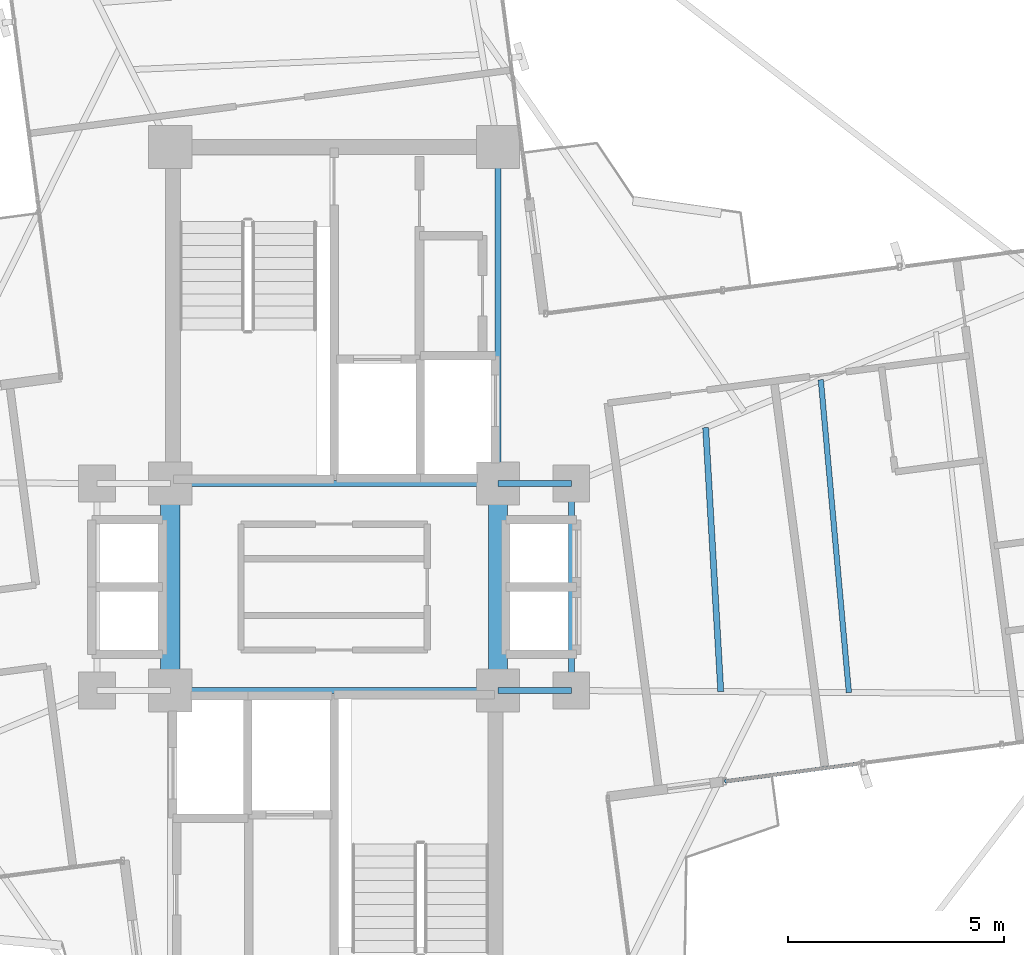
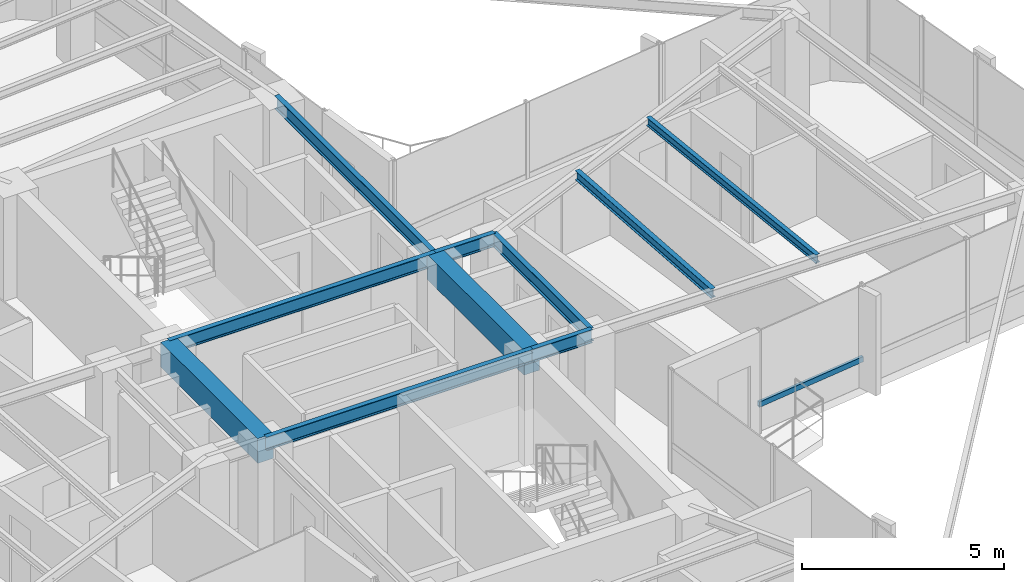
# One storey, part 9 of 21: 10 beams, 1 member, 1 element without a shape of its own.
"""IFC4 building model written with IfcOpenShell, lengths in metres."""

import ifcopenshell
import ifcopenshell.guid

model = None  # the IFC model being written
_history = None  # IfcOwnerHistory: only IFC2X3 demands one
_inside = {}  # id of a spatial element -> (the spatial element, [elements in it])
_under = {}  # id of a project, library or spatial element -> (it, [spatial elements below it])
_declared = {}  # id of a project -> (the project, [libraries it declares])
_typed = {}  # id of a type object -> (the type object, [elements of that type])
_made_of = {}  # id of a material, layer set ... -> (it, [elements and type objects made of it])


def new_model(schema):
    """Start an empty IFC model of exactly this schema.

    Asked for "IFC4X3", IfcOpenShell would pick the latest addendum, in which some entities
    have other attributes; the version numbers below select the first issue.
    IFC2X3 requires an IfcOwnerHistory on every rooted entity: one is made here for all.
    """
    global model, _history
    if schema == "IFC4X3":
        model = ifcopenshell.file(schema_version=(4, 3, 0, 0))
    else:
        model = ifcopenshell.file(schema=schema)
    _inside.clear()
    _under.clear()
    _declared.clear()
    _typed.clear()
    _made_of.clear()
    _history = None
    if model.schema == "IFC2X3":
        org = make("IfcOrganization", Name="unknown")
        user = make(
            "IfcPersonAndOrganization",
            ThePerson=make("IfcPerson", FamilyName="unknown"),
            TheOrganization=org,
        )
        app = make(
            "IfcApplication",
            ApplicationDeveloper=org,
            Version="unknown",
            ApplicationFullName="unknown",
            ApplicationIdentifier="unknown",
        )
        _history = make(
            "IfcOwnerHistory",
            OwningUser=user,
            OwningApplication=app,
            ChangeAction="ADDED",
            CreationDate=0,
        )
    return model


def make(cls, **values):
    """One entity of the class cls with the attributes given. An attribute that is None is left unset."""
    return model.create_entity(
        cls, **{name: value for name, value in values.items() if value is not None}
    )


def rooted(cls, **values):
    """An entity with a GlobalId (a new one), such as an element, a storey or a relation."""
    return make(cls, GlobalId=ifcopenshell.guid.new(), OwnerHistory=_history, **values)


def si_unit(unit_type, name, prefix=None):
    """IfcSIUnit, for example si_unit("LENGTHUNIT", "METRE", prefix="MILLI")."""
    return make("IfcSIUnit", UnitType=unit_type, Prefix=prefix, Name=name)


def assignment(units):
    """IfcUnitAssignment: the units of a project."""
    return None if units is None else make("IfcUnitAssignment", Units=units)


def point(xyz):
    """IfcCartesianPoint."""
    return None if xyz is None else make("IfcCartesianPoint", Coordinates=xyz)


def direction(xyz):
    """IfcDirection."""
    return None if xyz is None else make("IfcDirection", DirectionRatios=xyz)


def frame(location, z_axis=None, x_axis=None):
    """IfcAxis2Placement3D, a coordinate frame: its origin and axes. An axis left out is left unset."""
    return make(
        "IfcAxis2Placement3D",
        Location=point(location),
        Axis=direction(z_axis),
        RefDirection=direction(x_axis),
    )


def frame_2d(location, x_axis=None):
    """IfcAxis2Placement2D, a coordinate frame in the plane: its origin and x axis."""
    return make(
        "IfcAxis2Placement2D", Location=point(location), RefDirection=direction(x_axis)
    )


def origin():
    """The frame at (0, 0, 0) with its axes left unset."""
    return frame((0.0, 0.0, 0.0))


def origin_2d():
    """The frame at (0, 0) in the plane with its x axis left unset."""
    return frame_2d((0.0, 0.0))


def place(relative_to, where):
    """IfcLocalPlacement: puts the frame where relative to a parent placement (None: the world)."""
    return make(
        "IfcLocalPlacement", PlacementRelTo=relative_to, RelativePlacement=where
    )


def context(
    kind, dimensions, precision=None, world=None, true_north=None, identifier=None
):
    """IfcGeometricRepresentationContext, for example the 3D "Model" context."""
    return make(
        "IfcGeometricRepresentationContext",
        ContextIdentifier=identifier,
        ContextType=kind,
        CoordinateSpaceDimension=dimensions,
        Precision=precision,
        WorldCoordinateSystem=world,
        TrueNorth=true_north,
    )


def subcontext(parent, identifier, kind, view, scale=None):
    """IfcGeometricRepresentationSubContext, for example "Body" below "Model"."""
    return make(
        "IfcGeometricRepresentationSubContext",
        ContextIdentifier=identifier,
        ContextType=kind,
        ParentContext=parent,
        TargetScale=scale,
        TargetView=view,
    )


def project(units=None, contexts=None):
    """IfcProject with its units and contexts."""
    return rooted(
        "IfcProject",
        Name="project",
        RepresentationContexts=contexts,
        UnitsInContext=assignment(units),
    )


def spatial(cls, under=None, at=None, **own):
    """A site, building, storey or space (cls), placed at a placement, below another one or the project."""
    s = rooted(cls, ObjectPlacement=at, **own)
    if under is not None:
        _under.setdefault(under.id(), (under, []))[1].append(s)
    return s


def profile(cls, at=None, kind="AREA", **sizes):
    """A parametric profile (cls). Its sizes go by their IFC names, for example OverallWidth=200.0."""
    return make(cls, ProfileType=kind, Position=at, **sizes)


def rectangle(**sizes):
    """IfcRectangleProfileDef."""
    return profile("IfcRectangleProfileDef", **sizes)


def hollow_rectangle(**sizes):
    """IfcRectangleHollowProfileDef."""
    return profile("IfcRectangleHollowProfileDef", **sizes)


def i_section(**sizes):
    """IfcIShapeProfileDef."""
    return profile("IfcIShapeProfileDef", **sizes)


def extrude(swept, where, along, depth):
    """IfcExtrudedAreaSolid: the profile swept, set in the frame where, extruded along a direction by depth."""
    return make(
        "IfcExtrudedAreaSolid",
        SweptArea=swept,
        Position=where,
        ExtrudedDirection=direction(along),
        Depth=depth,
    )


def shape(context_of_items, identifier, shape_type, items):
    """IfcShapeRepresentation: the items that make up one representation, for example the "Body"."""
    return make(
        "IfcShapeRepresentation",
        ContextOfItems=context_of_items,
        RepresentationIdentifier=identifier,
        RepresentationType=shape_type,
        Items=items,
    )


def source(mapping_origin, context_of_items, identifier, shape_type, items):
    """IfcRepresentationMap: a shape defined once, which mapped items show again and again."""
    return make(
        "IfcRepresentationMap",
        MappingOrigin=mapping_origin,
        MappedRepresentation=shape(context_of_items, identifier, shape_type, items),
    )


def transform(
    local_origin,
    x_axis=None,
    y_axis=None,
    z_axis=None,
    scale=None,
    scale2=None,
    scale3=None,
    uniform=True,
):
    """IfcCartesianTransformationOperator3D, or its non-uniform kind. x_axis, y_axis, z_axis: its Axis1, 2, 3."""
    if uniform:
        return make(
            "IfcCartesianTransformationOperator3D",
            Axis1=direction(x_axis),
            Axis2=direction(y_axis),
            LocalOrigin=point(local_origin),
            Scale=scale,
            Axis3=direction(z_axis),
        )
    return make(
        "IfcCartesianTransformationOperator3DnonUniform",
        Axis1=direction(x_axis),
        Axis2=direction(y_axis),
        LocalOrigin=point(local_origin),
        Scale=scale,
        Axis3=direction(z_axis),
        Scale2=scale2,
        Scale3=scale3,
    )


def mapped(mapping_source, mapping_target):
    """IfcMappedItem: shows the shape of a source again, moved by a transform."""
    return make(
        "IfcMappedItem", MappingSource=mapping_source, MappingTarget=mapping_target
    )


def material(Name=None, Category=None):
    """IfcMaterial."""
    return make("IfcMaterial", Name=Name, Category=Category)


def material_profile(
    of_material, cross_section, Name=None, Category=None, Priority=None
):
    """IfcMaterialProfile: a cross section and its material."""
    return make(
        "IfcMaterialProfile",
        Name=Name,
        Material=of_material,
        Profile=cross_section,
        Priority=Priority,
        Category=Category,
    )


def profile_set(profiles, Name=None, composite=None):
    """IfcMaterialProfileSet."""
    return make(
        "IfcMaterialProfileSet",
        Name=Name,
        MaterialProfiles=profiles,
        CompositeProfile=composite,
    )


def made_of(thing, what):
    """Note that an element or type object is made of a material, layer set ...; save() writes the relation."""
    if what is not None:
        _made_of.setdefault(what.id(), (what, []))[1].append(thing)
    return thing


def type_object(cls, material=None, **own):
    """A type object (cls), such as IfcWallType, which elements share."""
    return made_of(rooted(cls, **own), material)


def element(
    cls,
    number,
    at=None,
    inside=None,
    cuts=None,
    type_object=None,
    material=None,
    context=None,
    identifier="Body",
    shape_type=None,
    held_by="IfcProductDefinitionShape",
    body=None,
    shapes=None,
    **own,
):
    """One element of the class cls, such as IfcWall. Its Tag is "e" and its number.

    at: its placement. inside: the storey or other place that contains it. cuts: it is an
    opening in that element (IfcRelVoidsElement). A single representation is given by context,
    identifier, shape_type and body (its items); several are given by shapes. held_by: the class
    of the entity that holds the representations. save() writes the other relations.
    """
    e = rooted(cls, Tag="e%d" % number, ObjectPlacement=at, **own)
    if body is not None:
        shapes = [shape(context, identifier, shape_type, body)]
    if shapes is not None:
        e.Representation = make(held_by, Representations=shapes)
    if inside is not None:
        _inside.setdefault(inside.id(), (inside, []))[1].append(e)
    if cuts is not None:
        rooted(
            "IfcRelVoidsElement", RelatingBuildingElement=cuts, RelatedOpeningElement=e
        )
    if type_object is not None:
        _typed.setdefault(type_object.id(), (type_object, []))[1].append(e)
    return made_of(e, material)


def aggregate(whole, parts):
    """IfcRelAggregates: a whole, such as a stair, and the parts it consists of."""
    return rooted("IfcRelAggregates", RelatingObject=whole, RelatedObjects=parts)


def save(model, path):
    """Write the relations noted so far, then the file.

    IfcRelAggregates (storeys below a building ...), IfcRelContainedInSpatialStructure (elements
    in a storey), IfcRelDefinesByType, IfcRelAssociatesMaterial and IfcRelDeclares: one each for
    every whole, place, type object, material and project.
    """
    for whole, parts in _under.values():
        aggregate(whole, parts)
    for where, things in _inside.values():
        rooted(
            "IfcRelContainedInSpatialStructure",
            RelatedElements=things,
            RelatingStructure=where,
        )
    for kind, things in _typed.values():
        rooted("IfcRelDefinesByType", RelatedObjects=things, RelatingType=kind)
    for what, things in _made_of.values():
        rooted("IfcRelAssociatesMaterial", RelatedObjects=things, RelatingMaterial=what)
    for by, libraries in _declared.values():
        rooted("IfcRelDeclares", RelatingContext=by, RelatedDefinitions=libraries)
    model.write(path)


model = new_model("IFC4")

# Units and contexts
model_context = context("Model", 3, precision=1e-05, world=origin(), true_north=direction((0.0, 1.0)))
body_context = subcontext(model_context, "Body", "Model", "MODEL_VIEW")
ifc_project = project(units=[si_unit("LENGTHUNIT", "METRE"), si_unit("AREAUNIT", "SQUARE_METRE"), si_unit("VOLUMEUNIT", "CUBIC_METRE"), si_unit("PLANEANGLEUNIT", "RADIAN"), si_unit("MASSUNIT", "GRAM", prefix="KILO")], contexts=[model_context])

# Site, building, storey
site_placement = place(None, origin())
site = spatial("IfcSite", under=ifc_project, at=site_placement, CompositionType="ELEMENT")
building_placement = place(site_placement, origin())
building = spatial("IfcBuilding", under=site, at=building_placement, Name="Sahyath Konkavel Grand Hotel", CompositionType="ELEMENT")
storey_placement = place(building_placement, frame((0.0, 0.0, 216.550048828125)))
storey = spatial("IfcBuildingStorey", under=building, at=storey_placement, Name="L60", CompositionType="ELEMENT", Elevation=216.550048828125)

# Beams
ifc_material_1 = material(Name="Steel E350", Category="steel")
ifc_material_profile_1 = material_profile(ifc_material_1, i_section(OverallWidth=0.139892578125, OverallDepth=0.39990234375, WebThickness=0.0087890625, FlangeThickness=0.01611328125, FilletRadius=0.013916015625, at=origin_2d()), Name="ISMB 400")
ifc_profile_set_1 = profile_set([ifc_material_profile_1], Name="Steel E350")
beam_type_1 = type_object("IfcBeamType", Name="BM-ISMB400", PredefinedType="BEAM", material=ifc_profile_set_1)
shared_shape_1 = source(origin(), body_context, "Body", "SweptSolid", [
    extrude(i_section(OverallWidth=0.139892578125, OverallDepth=0.39990234375, WebThickness=0.0087890625, FlangeThickness=0.01611328125, FilletRadius=0.013916015625, at=origin_2d()), origin(), (0.0, 0.0, 1.0), 7.60009765625),
])
for number, where, z_axis, x_axis, name in (
    (1, (-3.800048828125, 2.39990234375, 2.909912109375), (1.0, 0.0, 0.0), (0.0, 1.0, 0.0), "str:bm:L60:NC-S"),
    (2, (-3.800048828125, -2.39990234375, 2.909912109375), (1.0, 0.0, 0.0), (0.0, 1.0, 0.0), "str:bm:L60:SC-N"),
):
    element("IfcBeam", number, at=place(storey_placement, frame(where, z_axis=z_axis, x_axis=x_axis)), inside=storey, type_object=beam_type_1, Name=name, PredefinedType="BEAM", context=body_context, shape_type="MappedRepresentation", body=[
        mapped(shared_shape_1, transform((0.0, 0.0, 0.0), scale=1.0)),
    ])
shared_shape_2 = source(origin(), body_context, "Body", "SweptSolid", [
    extrude(i_section(OverallWidth=0.139892578125, OverallDepth=0.39990234375, WebThickness=0.0087890625, FlangeThickness=0.01611328125, FilletRadius=0.013916015625, at=origin_2d()), origin(), (0.0, 0.0, 1.0), 7.800048828125),
])
beam_1_placement = place(storey_placement, frame((3.800048828125, 2.39990234375, 2.909912109375), z_axis=(0.0, 1.0, 0.0), x_axis=(-1.0, 0.0, 0.0)))
element("IfcBeam", 3, at=beam_1_placement, inside=storey, type_object=beam_type_1, Name="str:bm:L60:NC-E", PredefinedType="BEAM", context=body_context, shape_type="MappedRepresentation", body=[
    mapped(shared_shape_2, transform((0.0, 0.0, 0.0), scale=1.0)),
])
shared_shape_3 = source(origin(), body_context, "Body", "SweptSolid", [
    extrude(i_section(OverallWidth=0.139892578125, OverallDepth=0.39990234375, WebThickness=0.0087890625, FlangeThickness=0.01611328125, FilletRadius=0.013916015625, at=origin_2d()), origin(), (0.0, 0.0, 1.0), 1.699951171875),
])
for number, where, z_axis, x_axis, name in (
    (4, (3.800048828125, 2.39990234375, 2.909912109375), (1.0, 0.0, 0.0), (0.0, 1.0, 0.0), "str:bm:L60:HB-NE"),
    (5, (3.800048828125, -2.39990234375, 2.909912109375), (1.0, 0.0, 0.0), (0.0, 1.0, 0.0), "str:bm:L60:HB-SE"),
):
    element("IfcBeam", number, at=place(storey_placement, frame(where, z_axis=z_axis, x_axis=x_axis)), inside=storey, type_object=beam_type_1, Name=name, PredefinedType="BEAM", context=body_context, shape_type="MappedRepresentation", body=[
        mapped(shared_shape_3, transform((0.0, 0.0, 0.0), scale=1.0)),
    ])
shared_shape_4 = source(origin(), body_context, "Body", "SweptSolid", [
    extrude(i_section(OverallWidth=0.139892578125, OverallDepth=0.39990234375, WebThickness=0.0087890625, FlangeThickness=0.01611328125, FilletRadius=0.013916015625, at=origin_2d()), origin(), (0.0, 0.0, 1.0), 4.7998046875),
])
beam_2_placement = place(storey_placement, frame((5.5, -2.39990234375, 2.909912109375), z_axis=(0.0, 1.0, 0.0), x_axis=(-1.0, 0.0, 0.0)))
element("IfcBeam", 6, at=beam_2_placement, inside=storey, type_object=beam_type_1, Name="str:bm:L60:HB-E", PredefinedType="BEAM", context=body_context, shape_type="MappedRepresentation", body=[
    mapped(shared_shape_4, transform((0.0, 0.0, 0.0), scale=1.0)),
])
ifc_material_2 = material(Name="Concrete C40/50", Category="concrete")
ifc_material_profile_2 = material_profile(ifc_material_2, rectangle(XDim=0.449951171875, YDim=0.75, at=origin_2d()), Name="RC 450x750")
ifc_profile_set_2 = profile_set([ifc_material_profile_2], Name="Concrete C40/50")
beam_type_2 = type_object("IfcBeamType", Name="BM-CB450x750", PredefinedType="LINTEL", material=ifc_profile_set_2)
shared_shape_5 = source(origin(), body_context, "Body", "SweptSolid", [
    extrude(rectangle(XDim=0.449951171875, YDim=0.75, at=origin_2d()), origin(), (0.0, 0.0, 1.0), 4.7998046875),
])
for number, where, z_axis, x_axis, name in (
    (7, (-3.800048828125, -2.39990234375, 2.73486328125), (0.0, 1.0, 0.0), (-1.0, 0.0, 0.0), "L60 Split-Core Coupling Beam West"),
    (8, (3.800048828125, -2.39990234375, 2.73486328125), (0.0, 1.0, 0.0), (-1.0, 0.0, 0.0), "L60 Split-Core Coupling Beam East"),
):
    element("IfcBeam", number, at=place(storey_placement, frame(where, z_axis=z_axis, x_axis=x_axis)), inside=storey, type_object=beam_type_2, Name=name, PredefinedType="LINTEL", context=body_context, shape_type="MappedRepresentation", body=[
        mapped(shared_shape_5, transform((0.0, 0.0, 0.0), scale=1.0)),
    ])
ifc_material_profile_3 = material_profile(ifc_material_1, i_section(OverallWidth=0.139892578125, OverallDepth=0.27490234375, WebThickness=0.00634765625, FlangeThickness=0.0087890625, FilletRadius=0.012939453125, at=origin_2d()), Name="ISLB 275")
ifc_profile_set_3 = profile_set([ifc_material_profile_3], Name="Steel E350")
beam_type_3 = type_object("IfcBeamType", Name="BM-ISLB275", PredefinedType="BEAM", material=ifc_profile_set_3)
shared_shape_6 = source(origin(), body_context, "Body", "SweptSolid", [
    extrude(i_section(OverallWidth=0.139892578125, OverallDepth=0.27490234375, WebThickness=0.00634765625, FlangeThickness=0.0087890625, FilletRadius=0.012939453125, at=origin_2d()), origin(), (0.0, 0.0, 1.0), 6.130859375),
])
beam_3_placement = place(storey_placement, frame((8.9658203125, -2.424560546875, 2.972412109375), z_axis=(-0.057223299361, 0.998361404508, 0.0), x_axis=(-0.998361404508, -0.057223299361, 0.0)))
element("IfcBeam", 9, at=beam_3_placement, inside=storey, type_object=beam_type_3, Name="L60 Secondary Floor Beam E-1", PredefinedType="BEAM", context=body_context, shape_type="MappedRepresentation", body=[
    mapped(shared_shape_6, transform((0.0, 0.0, 0.0), scale=1.0)),
])
ifc_material_profile_4 = material_profile(ifc_material_1, i_section(OverallWidth=0.125, OverallDepth=0.25, WebThickness=0.0068359375, FlangeThickness=0.012451171875, FilletRadius=0.012939453125, at=origin_2d()), Name="ISMB 250")
ifc_profile_set_4 = profile_set([ifc_material_profile_4], Name="Steel E350")
beam_type_4 = type_object("IfcBeamType", Name="BM-ISMB250", PredefinedType="BEAM", material=ifc_profile_set_4)
shared_shape_7 = source(origin(), body_context, "Body", "SweptSolid", [
    extrude(i_section(OverallWidth=0.125, OverallDepth=0.25, WebThickness=0.0068359375, FlangeThickness=0.012451171875, FilletRadius=0.012939453125, at=origin_2d()), origin(), (0.0, 0.0, 1.0), 7.28271484375),
])
beam_4_placement = place(storey_placement, frame((11.936279296875, -2.44580078125, 2.98486328125), z_axis=(-0.08944149657, 0.995992077625, 0.0), x_axis=(-0.995992077625, -0.08944149657, 0.0)))
element("IfcBeam", 10, at=beam_4_placement, inside=storey, type_object=beam_type_4, Name="L60 Secondary Floor Beam E-2", PredefinedType="BEAM", context=body_context, shape_type="MappedRepresentation", body=[
    mapped(shared_shape_7, transform((0.0, 0.0, 0.0), scale=1.0)),
])

# Curtain wall, member
ifc_material_3 = material(Name="Anodised Bronze Aluminium & Low-E Glazing", Category="aluminium")
curtain_wall_type = type_object("IfcCurtainWallType", Name="CW-ZONE4", PredefinedType="NOTDEFINED", material=ifc_material_3)
curtain_wall_placement = place(storey_placement, origin())
curtain_wall = element("IfcCurtainWall", 11, at=curtain_wall_placement, inside=storey, type_object=curtain_wall_type, Name="L60 Unitised Curtain Wall F0", PredefinedType="NOTDEFINED")
ifc_material_4 = material(Name="Anodised Bronze Aluminium", Category="aluminium")
ifc_material_profile_5 = material_profile(ifc_material_4, hollow_rectangle(XDim=0.080078125, YDim=0.159912109375, WallThickness=0.006103515625, at=origin_2d()), Name="RHS 160x80x6")
ifc_profile_set_5 = profile_set([ifc_material_profile_5], Name="Anodised Bronze Aluminium")
member_type = type_object("IfcMemberType", Name="CW-TRN-160", PredefinedType="USERDEFINED", material=ifc_profile_set_5)
shared_shape_8 = source(origin(), body_context, "Body", "SweptSolid", [
    extrude(hollow_rectangle(XDim=0.080078125, YDim=0.159912109375, WallThickness=0.006103515625, at=origin_2d()), origin(), (0.0, 0.0, 1.0), 3.240234375),
])
member_placement = place(storey_placement, frame((9.0556640625, -4.506591796875, 0.849853515625), z_axis=(0.991447626157, 0.130505189885, 0.0), x_axis=(-0.130505189885, 0.991447626157, 0.0)))
member = element("IfcMember", 12, at=member_placement, type_object=member_type, Name="L60 Curtain Wall Transom F0-0-spandrel", ObjectType="TRANSOM", PredefinedType="USERDEFINED", context=body_context, shape_type="MappedRepresentation", body=[
    mapped(shared_shape_8, transform((0.0, 0.0, 0.0), scale=1.0)),
])
aggregate(curtain_wall, [member])

save(model, "model.ifc")
